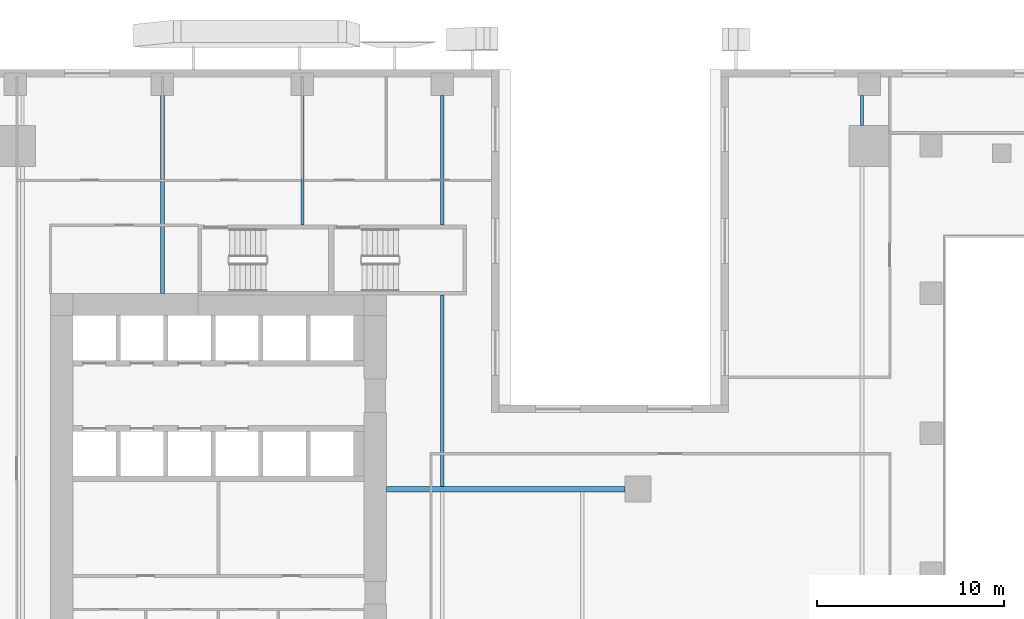
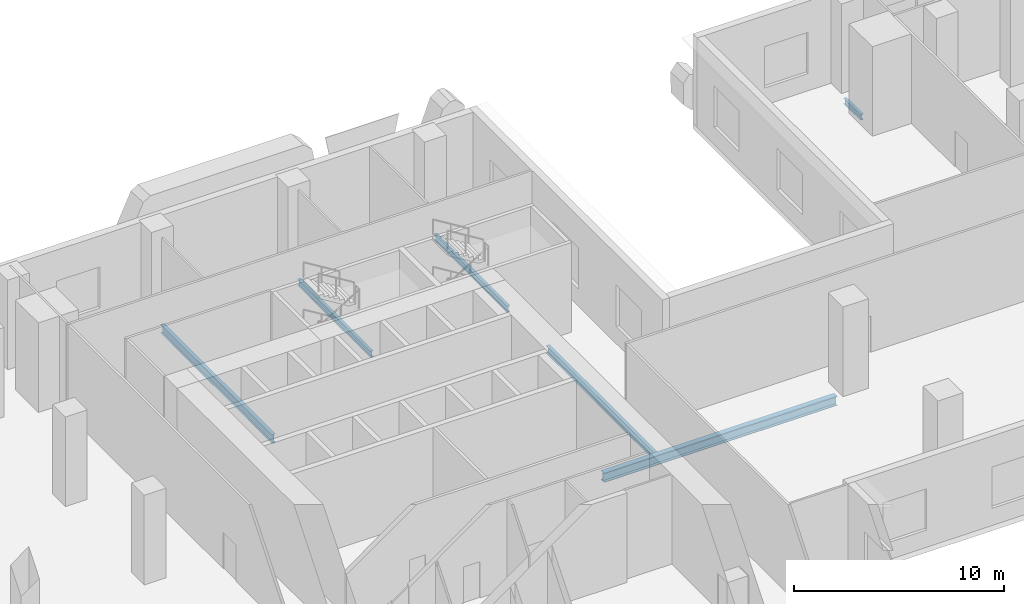
# One storey, part 5 of 23: 6 beams.
"""IFC4 building model written with IfcOpenShell, lengths in metres."""

import ifcopenshell
import ifcopenshell.guid

model = None  # the IFC model being written
_history = None  # IfcOwnerHistory: only IFC2X3 demands one
_inside = {}  # id of a spatial element -> (the spatial element, [elements in it])
_under = {}  # id of a project, library or spatial element -> (it, [spatial elements below it])
_declared = {}  # id of a project -> (the project, [libraries it declares])
_typed = {}  # id of a type object -> (the type object, [elements of that type])
_made_of = {}  # id of a material, layer set ... -> (it, [elements and type objects made of it])


def new_model(schema):
    """Start an empty IFC model of exactly this schema.

    Asked for "IFC4X3", IfcOpenShell would pick the latest addendum, in which some entities
    have other attributes; the version numbers below select the first issue.
    IFC2X3 requires an IfcOwnerHistory on every rooted entity: one is made here for all.
    """
    global model, _history
    if schema == "IFC4X3":
        model = ifcopenshell.file(schema_version=(4, 3, 0, 0))
    else:
        model = ifcopenshell.file(schema=schema)
    _inside.clear()
    _under.clear()
    _declared.clear()
    _typed.clear()
    _made_of.clear()
    _history = None
    if model.schema == "IFC2X3":
        org = make("IfcOrganization", Name="unknown")
        user = make(
            "IfcPersonAndOrganization",
            ThePerson=make("IfcPerson", FamilyName="unknown"),
            TheOrganization=org,
        )
        app = make(
            "IfcApplication",
            ApplicationDeveloper=org,
            Version="unknown",
            ApplicationFullName="unknown",
            ApplicationIdentifier="unknown",
        )
        _history = make(
            "IfcOwnerHistory",
            OwningUser=user,
            OwningApplication=app,
            ChangeAction="ADDED",
            CreationDate=0,
        )
    return model


def make(cls, **values):
    """One entity of the class cls with the attributes given. An attribute that is None is left unset."""
    return model.create_entity(
        cls, **{name: value for name, value in values.items() if value is not None}
    )


def rooted(cls, **values):
    """An entity with a GlobalId (a new one), such as an element, a storey or a relation."""
    return make(cls, GlobalId=ifcopenshell.guid.new(), OwnerHistory=_history, **values)


def si_unit(unit_type, name, prefix=None):
    """IfcSIUnit, for example si_unit("LENGTHUNIT", "METRE", prefix="MILLI")."""
    return make("IfcSIUnit", UnitType=unit_type, Prefix=prefix, Name=name)


def assignment(units):
    """IfcUnitAssignment: the units of a project."""
    return None if units is None else make("IfcUnitAssignment", Units=units)


def point(xyz):
    """IfcCartesianPoint."""
    return None if xyz is None else make("IfcCartesianPoint", Coordinates=xyz)


def direction(xyz):
    """IfcDirection."""
    return None if xyz is None else make("IfcDirection", DirectionRatios=xyz)


def frame(location, z_axis=None, x_axis=None):
    """IfcAxis2Placement3D, a coordinate frame: its origin and axes. An axis left out is left unset."""
    return make(
        "IfcAxis2Placement3D",
        Location=point(location),
        Axis=direction(z_axis),
        RefDirection=direction(x_axis),
    )


def frame_2d(location, x_axis=None):
    """IfcAxis2Placement2D, a coordinate frame in the plane: its origin and x axis."""
    return make(
        "IfcAxis2Placement2D", Location=point(location), RefDirection=direction(x_axis)
    )


def origin():
    """The frame at (0, 0, 0) with its axes left unset."""
    return frame((0.0, 0.0, 0.0))


def origin_2d():
    """The frame at (0, 0) in the plane with its x axis left unset."""
    return frame_2d((0.0, 0.0))


def place(relative_to, where):
    """IfcLocalPlacement: puts the frame where relative to a parent placement (None: the world)."""
    return make(
        "IfcLocalPlacement", PlacementRelTo=relative_to, RelativePlacement=where
    )


def context(
    kind, dimensions, precision=None, world=None, true_north=None, identifier=None
):
    """IfcGeometricRepresentationContext, for example the 3D "Model" context."""
    return make(
        "IfcGeometricRepresentationContext",
        ContextIdentifier=identifier,
        ContextType=kind,
        CoordinateSpaceDimension=dimensions,
        Precision=precision,
        WorldCoordinateSystem=world,
        TrueNorth=true_north,
    )


def subcontext(parent, identifier, kind, view, scale=None):
    """IfcGeometricRepresentationSubContext, for example "Body" below "Model"."""
    return make(
        "IfcGeometricRepresentationSubContext",
        ContextIdentifier=identifier,
        ContextType=kind,
        ParentContext=parent,
        TargetScale=scale,
        TargetView=view,
    )


def project(units=None, contexts=None):
    """IfcProject with its units and contexts."""
    return rooted(
        "IfcProject",
        Name="project",
        RepresentationContexts=contexts,
        UnitsInContext=assignment(units),
    )


def spatial(cls, under=None, at=None, **own):
    """A site, building, storey or space (cls), placed at a placement, below another one or the project."""
    s = rooted(cls, ObjectPlacement=at, **own)
    if under is not None:
        _under.setdefault(under.id(), (under, []))[1].append(s)
    return s


def profile(cls, at=None, kind="AREA", **sizes):
    """A parametric profile (cls). Its sizes go by their IFC names, for example OverallWidth=200.0."""
    return make(cls, ProfileType=kind, Position=at, **sizes)


def i_section(**sizes):
    """IfcIShapeProfileDef."""
    return profile("IfcIShapeProfileDef", **sizes)


def extrude(swept, where, along, depth):
    """IfcExtrudedAreaSolid: the profile swept, set in the frame where, extruded along a direction by depth."""
    return make(
        "IfcExtrudedAreaSolid",
        SweptArea=swept,
        Position=where,
        ExtrudedDirection=direction(along),
        Depth=depth,
    )


def shape(context_of_items, identifier, shape_type, items):
    """IfcShapeRepresentation: the items that make up one representation, for example the "Body"."""
    return make(
        "IfcShapeRepresentation",
        ContextOfItems=context_of_items,
        RepresentationIdentifier=identifier,
        RepresentationType=shape_type,
        Items=items,
    )


def source(mapping_origin, context_of_items, identifier, shape_type, items):
    """IfcRepresentationMap: a shape defined once, which mapped items show again and again."""
    return make(
        "IfcRepresentationMap",
        MappingOrigin=mapping_origin,
        MappedRepresentation=shape(context_of_items, identifier, shape_type, items),
    )


def transform(
    local_origin,
    x_axis=None,
    y_axis=None,
    z_axis=None,
    scale=None,
    scale2=None,
    scale3=None,
    uniform=True,
):
    """IfcCartesianTransformationOperator3D, or its non-uniform kind. x_axis, y_axis, z_axis: its Axis1, 2, 3."""
    if uniform:
        return make(
            "IfcCartesianTransformationOperator3D",
            Axis1=direction(x_axis),
            Axis2=direction(y_axis),
            LocalOrigin=point(local_origin),
            Scale=scale,
            Axis3=direction(z_axis),
        )
    return make(
        "IfcCartesianTransformationOperator3DnonUniform",
        Axis1=direction(x_axis),
        Axis2=direction(y_axis),
        LocalOrigin=point(local_origin),
        Scale=scale,
        Axis3=direction(z_axis),
        Scale2=scale2,
        Scale3=scale3,
    )


def mapped(mapping_source, mapping_target):
    """IfcMappedItem: shows the shape of a source again, moved by a transform."""
    return make(
        "IfcMappedItem", MappingSource=mapping_source, MappingTarget=mapping_target
    )


def material(Name=None, Category=None):
    """IfcMaterial."""
    return make("IfcMaterial", Name=Name, Category=Category)


def material_profile(
    of_material, cross_section, Name=None, Category=None, Priority=None
):
    """IfcMaterialProfile: a cross section and its material."""
    return make(
        "IfcMaterialProfile",
        Name=Name,
        Material=of_material,
        Profile=cross_section,
        Priority=Priority,
        Category=Category,
    )


def profile_set(profiles, Name=None, composite=None):
    """IfcMaterialProfileSet."""
    return make(
        "IfcMaterialProfileSet",
        Name=Name,
        MaterialProfiles=profiles,
        CompositeProfile=composite,
    )


def made_of(thing, what):
    """Note that an element or type object is made of a material, layer set ...; save() writes the relation."""
    if what is not None:
        _made_of.setdefault(what.id(), (what, []))[1].append(thing)
    return thing


def type_object(cls, material=None, **own):
    """A type object (cls), such as IfcWallType, which elements share."""
    return made_of(rooted(cls, **own), material)


def element(
    cls,
    number,
    at=None,
    inside=None,
    cuts=None,
    type_object=None,
    material=None,
    context=None,
    identifier="Body",
    shape_type=None,
    held_by="IfcProductDefinitionShape",
    body=None,
    shapes=None,
    **own,
):
    """One element of the class cls, such as IfcWall. Its Tag is "e" and its number.

    at: its placement. inside: the storey or other place that contains it. cuts: it is an
    opening in that element (IfcRelVoidsElement). A single representation is given by context,
    identifier, shape_type and body (its items); several are given by shapes. held_by: the class
    of the entity that holds the representations. save() writes the other relations.
    """
    e = rooted(cls, Tag="e%d" % number, ObjectPlacement=at, **own)
    if body is not None:
        shapes = [shape(context, identifier, shape_type, body)]
    if shapes is not None:
        e.Representation = make(held_by, Representations=shapes)
    if inside is not None:
        _inside.setdefault(inside.id(), (inside, []))[1].append(e)
    if cuts is not None:
        rooted(
            "IfcRelVoidsElement", RelatingBuildingElement=cuts, RelatedOpeningElement=e
        )
    if type_object is not None:
        _typed.setdefault(type_object.id(), (type_object, []))[1].append(e)
    return made_of(e, material)


def aggregate(whole, parts):
    """IfcRelAggregates: a whole, such as a stair, and the parts it consists of."""
    return rooted("IfcRelAggregates", RelatingObject=whole, RelatedObjects=parts)


def save(model, path):
    """Write the relations noted so far, then the file.

    IfcRelAggregates (storeys below a building ...), IfcRelContainedInSpatialStructure (elements
    in a storey), IfcRelDefinesByType, IfcRelAssociatesMaterial and IfcRelDeclares: one each for
    every whole, place, type object, material and project.
    """
    for whole, parts in _under.values():
        aggregate(whole, parts)
    for where, things in _inside.values():
        rooted(
            "IfcRelContainedInSpatialStructure",
            RelatedElements=things,
            RelatingStructure=where,
        )
    for kind, things in _typed.values():
        rooted("IfcRelDefinesByType", RelatedObjects=things, RelatingType=kind)
    for what, things in _made_of.values():
        rooted("IfcRelAssociatesMaterial", RelatedObjects=things, RelatingMaterial=what)
    for by, libraries in _declared.values():
        rooted("IfcRelDeclares", RelatingContext=by, RelatedDefinitions=libraries)
    model.write(path)


model = new_model("IFC4")

# Units and contexts
model_context = context("Model", 3, precision=1e-05, world=origin(), true_north=direction((0.0, 1.0)))
body_context = subcontext(model_context, "Body", "Model", "MODEL_VIEW")
ifc_project = project(units=[si_unit("LENGTHUNIT", "METRE"), si_unit("AREAUNIT", "SQUARE_METRE"), si_unit("VOLUMEUNIT", "CUBIC_METRE"), si_unit("PLANEANGLEUNIT", "RADIAN"), si_unit("MASSUNIT", "GRAM", prefix="KILO")], contexts=[model_context])

# Site, building, storey
site_placement = place(None, origin())
site = spatial("IfcSite", under=ifc_project, at=site_placement, CompositionType="ELEMENT")
building_placement = place(site_placement, origin())
building = spatial("IfcBuilding", under=site, at=building_placement, Name="Khomas Fold Tower", CompositionType="ELEMENT")
storey_placement = place(building_placement, frame((0.0, 0.0, 13.0)))
storey = spatial("IfcBuildingStorey", under=building, at=storey_placement, Name="L02", CompositionType="ELEMENT", Elevation=13.0)

# Beams
ifc_material_1 = material(Name="Steel S355", Category="steel")
ifc_material_profile_1 = material_profile(ifc_material_1, i_section(OverallWidth=0.300048828125, OverallDepth=0.550048828125, WebThickness=0.014892578125, FlangeThickness=0.029052734375, at=origin_2d()), Name="HE 550 B")
ifc_profile_set_1 = profile_set([ifc_material_profile_1], Name="Steel S355")
beam_type_1 = type_object("IfcBeamType", Name="HE 550 B beam GB4", PredefinedType="BEAM", material=ifc_profile_set_1)
shared_shape_1 = source(origin(), body_context, "Body", "SweptSolid", [
    extrude(i_section(OverallWidth=0.300048828125, OverallDepth=0.550048828125, WebThickness=0.014892578125, FlangeThickness=0.029052734375, at=origin_2d()), origin(), (0.0, 0.0, 1.0), 12.800048828125),
])
beam_1_placement = place(storey_placement, frame((24.0, 31.5, -0.574951171875), z_axis=(1.0, 0.0, 0.0), x_axis=(0.0, 1.0, 0.0)))
element("IfcBeam", 1, at=beam_1_placement, inside=storey, type_object=beam_type_1, Name="GB4", PredefinedType="BEAM", context=body_context, shape_type="MappedRepresentation", body=[
    mapped(shared_shape_1, transform((0.0, 0.0, 0.0))),
])
ifc_material_2 = material(Name="Steel S355", Category="steel")
ifc_material_profile_2 = material_profile(ifc_material_2, i_section(OverallWidth=0.159912109375, OverallDepth=0.330078125, WebThickness=0.007568359375, FlangeThickness=0.011474609375, at=origin_2d()), Name="IPE 330")
ifc_profile_set_2 = profile_set([ifc_material_profile_2], Name="Steel S355")
beam_type_2 = type_object("IfcBeamType", Name="IPE 330 beam JB1", PredefinedType="BEAM", material=ifc_profile_set_2)
shared_shape_2 = source(origin(), body_context, "Body", "SweptSolid", [
    extrude(i_section(OverallWidth=0.159912109375, OverallDepth=0.330078125, WebThickness=0.007568359375, FlangeThickness=0.011474609375, at=origin_2d()), origin(), (0.0, 0.0, 1.0), 1.60009765625),
])
beam_2_placement = place(storey_placement, frame((49.5, 51.0, -0.465087890625), z_axis=(0.0, 1.0, 0.0), x_axis=(-1.0, 0.0, 0.0)))
element("IfcBeam", 2, at=beam_2_placement, inside=storey, type_object=beam_type_2, Name="JB1", PredefinedType="BEAM", context=body_context, shape_type="MappedRepresentation", body=[
    mapped(shared_shape_2, transform((0.0, 0.0, 0.0))),
])
ifc_material_3 = material(Name="Steel S355", Category="steel")
ifc_material_profile_3 = material_profile(ifc_material_3, i_section(OverallWidth=0.199951171875, OverallDepth=0.5, WebThickness=0.01025390625, FlangeThickness=0.01611328125, at=origin_2d()), Name="IPE 500")
ifc_profile_set_3 = profile_set([ifc_material_profile_3], Name="Steel S355")
beam_type_3 = type_object("IfcBeamType", Name="IPE 500 beam JB5", PredefinedType="BEAM", material=ifc_profile_set_3)
shared_shape_3 = source(origin(), body_context, "Body", "SweptSolid", [
    extrude(i_section(OverallWidth=0.199951171875, OverallDepth=0.5, WebThickness=0.01025390625, FlangeThickness=0.01611328125, at=origin_2d()), origin(), (0.0, 0.0, 1.0), 10.60009765625),
])
beam_3_placement = place(storey_placement, frame((12.0, 42.0, -0.550048828125), z_axis=(0.0, 1.0, 0.0), x_axis=(-1.0, 0.0, 0.0)))
element("IfcBeam", 3, at=beam_3_placement, inside=storey, type_object=beam_type_3, Name="JB5", PredefinedType="BEAM", context=body_context, shape_type="MappedRepresentation", body=[
    mapped(shared_shape_3, transform((0.0, 0.0, 0.0))),
])
ifc_material_4 = material(Name="Steel S355", Category="steel")
ifc_material_profile_4 = material_profile(ifc_material_4, i_section(OverallWidth=0.169921875, OverallDepth=0.360107421875, WebThickness=0.008056640625, FlangeThickness=0.0126953125, at=origin_2d()), Name="IPE 360")
ifc_profile_set_4 = profile_set([ifc_material_profile_4], Name="Steel S355")
beam_type_4 = type_object("IfcBeamType", Name="IPE 360 beam JB2", PredefinedType="BEAM", material=ifc_profile_set_4)
shared_shape_4 = source(origin(), body_context, "Body", "SweptSolid", [
    extrude(i_section(OverallWidth=0.169921875, OverallDepth=0.360107421875, WebThickness=0.008056640625, FlangeThickness=0.0126953125, at=origin_2d()), origin(), (0.0, 0.0, 1.0), 6.9501953125),
])
for number, where, z_axis, x_axis, name in (
    (4, (19.5, 45.64990234375, -0.47998046875), (0.0, 1.0, 0.0), (-1.0, 0.0, 0.0), "JB2"),
    (5, (27.0, 45.64990234375, -0.47998046875), (0.0, 1.0, 0.0), (-1.0, 0.0, 0.0), "JB2"),
):
    element("IfcBeam", number, at=place(storey_placement, frame(where, z_axis=z_axis, x_axis=x_axis)), inside=storey, type_object=beam_type_4, Name=name, PredefinedType="BEAM", context=body_context, shape_type="MappedRepresentation", body=[
        mapped(shared_shape_4, transform((0.0, 0.0, 0.0))),
    ])
ifc_material_5 = material(Name="Steel S355", Category="steel")
ifc_material_profile_5 = material_profile(ifc_material_5, i_section(OverallWidth=0.18994140625, OverallDepth=0.449951171875, WebThickness=0.009521484375, FlangeThickness=0.0146484375, at=origin_2d()), Name="IPE 450")
ifc_profile_set_5 = profile_set([ifc_material_profile_5], Name="Steel S355")
beam_type_5 = type_object("IfcBeamType", Name="IPE 450 beam JB4", PredefinedType="BEAM", material=ifc_profile_set_5)
shared_shape_5 = source(origin(), body_context, "Body", "SweptSolid", [
    extrude(i_section(OverallWidth=0.18994140625, OverallDepth=0.449951171875, WebThickness=0.009521484375, FlangeThickness=0.0146484375, at=origin_2d()), origin(), (0.0, 0.0, 1.0), 10.25),
])
beam_4_placement = place(storey_placement, frame((27.0, 31.64990234375, -0.52490234375), z_axis=(0.0, 1.0, 0.0), x_axis=(-1.0, 0.0, 0.0)))
element("IfcBeam", 6, at=beam_4_placement, inside=storey, type_object=beam_type_5, Name="JB4", PredefinedType="BEAM", context=body_context, shape_type="MappedRepresentation", body=[
    mapped(shared_shape_5, transform((0.0, 0.0, 0.0))),
])

save(model, "model.ifc")
